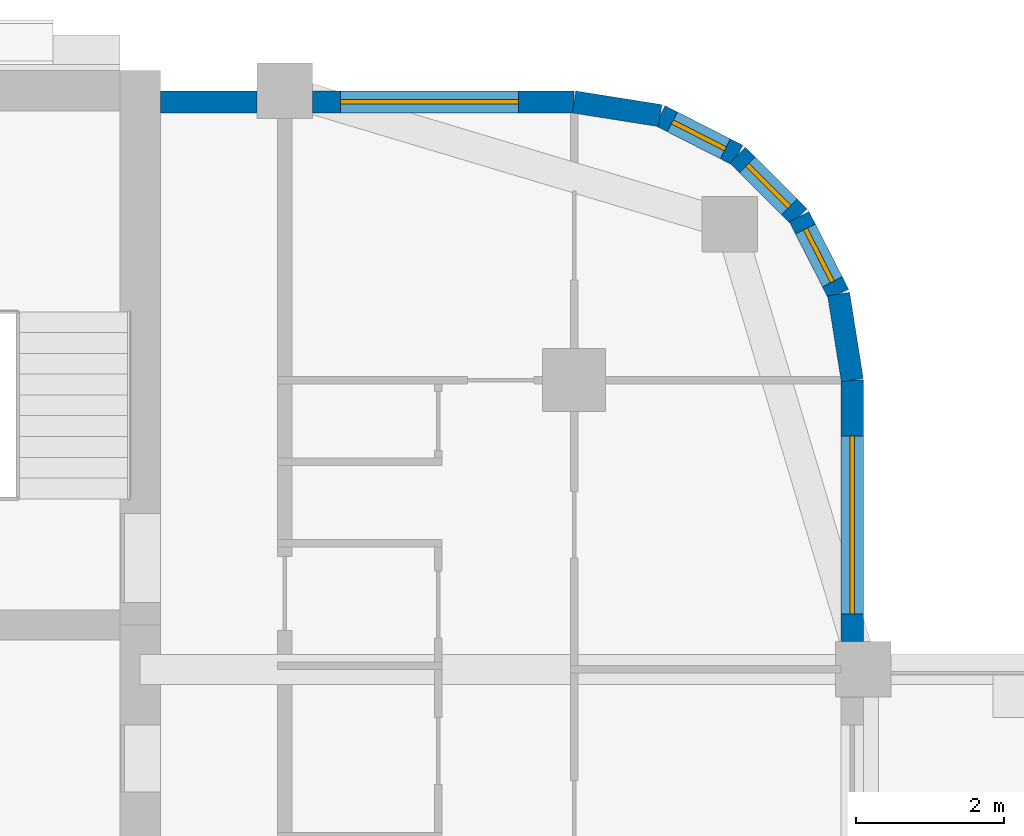
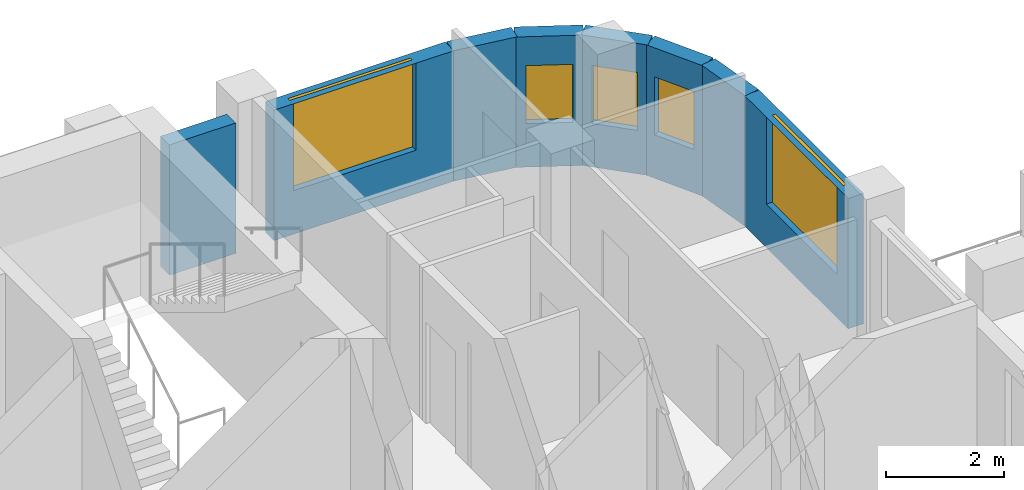
# One storey, part 9 of 14: 8 walls, 5 windows, 5 openings.
"""IFC4 building model written with IfcOpenShell, lengths in metres."""

from ifc_helpers import new_model, si_unit, direction, frame, frame_2d, origin, place, context, subcontext, project, spatial, rectangle, extrude, material, layer, layer_set, type_object, element, fill, save


model = new_model("IFC4")

# Units and contexts
model_context = context("Model", 3, precision=1e-05, world=origin(), true_north=direction((0.0, 1.0)))
body_context = subcontext(model_context, "Body", "Model", "MODEL_VIEW")
ifc_project = project(units=[si_unit("LENGTHUNIT", "METRE"), si_unit("AREAUNIT", "SQUARE_METRE"), si_unit("VOLUMEUNIT", "CUBIC_METRE"), si_unit("PLANEANGLEUNIT", "RADIAN"), si_unit("MASSUNIT", "GRAM", prefix="KILO")], contexts=[model_context])

# Site, building, storey
site_placement = place(None, origin())
site = spatial("IfcSite", under=ifc_project, at=site_placement, CompositionType="ELEMENT")
building_placement = place(site_placement, origin())
building = spatial("IfcBuilding", under=site, at=building_placement, Name="Ludao Terraces", CompositionType="ELEMENT")
storey_placement = place(building_placement, frame((0.0, 0.0, 182.60009765625)))
storey = spatial("IfcBuildingStorey", under=building, at=storey_placement, Name="L49", CompositionType="ELEMENT", Elevation=182.60009765625)

# Wall, opening, window
ifc_material_1 = material(Name="Granite cladding", Category="masonry")
ifc_layer_1 = layer(ifc_material_1, 0.0400390625, Category="stone")
ifc_material_2 = material(Name="Mineral wool")
ifc_layer_2 = layer(ifc_material_2, 0.06005859375)
ifc_material_3 = material(Name="Concrete C40", Category="concrete")
ifc_layer_3 = layer(ifc_material_3, 0.199951171875, Category="concrete")
ifc_layer_set_1 = layer_set([ifc_layer_1, ifc_layer_2, ifc_layer_3], Name="ENV Stone-clad wall 300")
wall_type = type_object("IfcWallType", Name="ENV Stone-clad wall 300", PredefinedType="SOLIDWALL", material=ifc_layer_set_1)
wall_1_placement = place(storey_placement, frame((104.35009765625, 77.074951171875, 0.0), z_axis=(0.0, 0.0, 1.0), x_axis=(0.0, 1.0, 0.0)))
wall_1 = element("IfcWall", 1, at=wall_1_placement, inside=storey, type_object=wall_type, Name="EW-L49-E5", PredefinedType="SOLIDWALL", context=body_context, shape_type="SweptSolid", body=[
    extrude(rectangle(XDim=3.525146484375, YDim=0.300048828125, at=frame_2d((1.7626953125, 0.0))), origin(), (0.0, 0.0, 1.0), 2.699951171875),
])
opening_1_placement = place(wall_1_placement, frame((0.375, 0.0, 0.89990234375)))
opening_1 = element("IfcOpeningElement", 2, at=opening_1_placement, cuts=wall_1, Name="Opening W1", PredefinedType="OPENING", context=body_context, shape_type="SweptSolid", body=[
    extrude(rectangle(XDim=2.39990234375, YDim=1.800048828125, at=frame_2d((1.199951171875, 0.89990234375))), frame((0.0, 0.16015625, 0.0), z_axis=(0.0, -1.0, 0.0), x_axis=(1.0, 0.0, 0.0)), (0.0, 0.0, 1.0), 0.320068359375),
])
ifc_material_4 = material(Name="Clear glass in aluminium frame", Category="aluminium")
ifc_layer_4 = layer(ifc_material_4, 0.06005859375)
ifc_layer_set_2 = layer_set([ifc_layer_4], Name="ENV Window W1 2400x1800")
window_type_1 = type_object("IfcWindowType", Name="ENV Window W1 2400x1800", PartitioningType="DOUBLE_PANEL_VERTICAL", PredefinedType="WINDOW", material=ifc_layer_set_2)
window_1_placement = place(opening_1_placement, origin())
window_1 = element("IfcWindow", 3, at=window_1_placement, inside=storey, type_object=window_type_1, Name="W-L49-E5-1", OverallHeight=1.800048828125, OverallWidth=2.39990234375, PartitioningType="DOUBLE_PANEL_VERTICAL", PredefinedType="WINDOW", context=body_context, shape_type="SweptSolid", body=[
    extrude(rectangle(XDim=2.39990234375, YDim=1.800048828125, at=frame_2d((1.199951171875, 0.89990234375))), frame((0.0, 0.030029296875, 0.0), z_axis=(0.0, -1.0, 0.0), x_axis=(1.0, 0.0, 0.0)), (0.0, 0.0, 1.0), 0.06005859375),
])
fill(opening_1, window_1)

# Wall
wall_2_placement = place(storey_placement, frame((95.02490234375, 84.35009765625, 0.0), z_axis=(0.0, 0.0, 1.0), x_axis=(1.0, 0.0, 0.0)))
element("IfcWall", 4, at=wall_2_placement, inside=storey, type_object=wall_type, Name="EW-L49-N3", PredefinedType="SOLIDWALL", context=body_context, shape_type="SweptSolid", body=[
    extrude(rectangle(XDim=1.300048828125, YDim=0.300048828125, at=frame_2d((0.64990234375, 0.0))), origin(), (0.0, 0.0, 1.0), 2.699951171875),
])

# Wall, opening, window
wall_3_placement = place(storey_placement, frame((97.074951171875, 84.35009765625, 0.0), z_axis=(0.0, 0.0, 1.0), x_axis=(1.0, 0.0, 0.0)))
wall_3 = element("IfcWall", 5, at=wall_3_placement, inside=storey, type_object=wall_type, Name="EW-L49-N4", PredefinedType="SOLIDWALL", context=body_context, shape_type="SweptSolid", body=[
    extrude(rectangle(XDim=3.525146484375, YDim=0.300048828125, at=frame_2d((1.7626953125, 0.0))), origin(), (0.0, 0.0, 1.0), 2.699951171875),
])
opening_2_placement = place(wall_3_placement, frame((0.375, 0.0, 0.89990234375)))
opening_2 = element("IfcOpeningElement", 6, at=opening_2_placement, cuts=wall_3, Name="Opening W1", PredefinedType="OPENING", context=body_context, shape_type="SweptSolid", body=[
    extrude(rectangle(XDim=2.39990234375, YDim=1.800048828125, at=frame_2d((1.199951171875, 0.89990234375))), frame((0.0, 0.16015625, 0.0), z_axis=(0.0, -1.0, 0.0), x_axis=(1.0, 0.0, 0.0)), (0.0, 0.0, 1.0), 0.320068359375),
])
window_2_placement = place(opening_2_placement, origin())
window_2 = element("IfcWindow", 7, at=window_2_placement, inside=storey, type_object=window_type_1, Name="W-L49-N4-1", OverallHeight=1.800048828125, OverallWidth=2.39990234375, PartitioningType="DOUBLE_PANEL_VERTICAL", PredefinedType="WINDOW", context=body_context, shape_type="SweptSolid", body=[
    extrude(rectangle(XDim=2.39990234375, YDim=1.800048828125, at=frame_2d((1.199951171875, 0.89990234375))), frame((0.0, 0.030029296875, 0.0), z_axis=(0.0, -1.0, 0.0), x_axis=(1.0, 0.0, 0.0)), (0.0, 0.0, 1.0), 0.06005859375),
])
fill(opening_2, window_2)

# Wall
wall_4_placement = place(storey_placement, frame((104.35009765625, 80.60009765625, 0.0), z_axis=(0.0, 0.0, 1.0), x_axis=(-0.156496880861, 0.987678452879, 0.0)))
element("IfcWall", 8, at=wall_4_placement, inside=storey, type_object=wall_type, Name="EW-L49-NE1", PredefinedType="SOLIDWALL", context=body_context, shape_type="SweptSolid", body=[
    extrude(rectangle(XDim=1.173095703125, YDim=0.300048828125, at=frame_2d((0.58642578125, 0.0))), origin(), (0.0, 0.0, 1.0), 2.699951171875),
])

# Wall, opening, window
wall_5_placement = place(storey_placement, frame((104.16650390625, 81.7587890625, 0.0), z_axis=(0.0, 0.0, 1.0), x_axis=(-0.454025524128, 0.890988677504, 0.0)))
wall_5 = element("IfcWall", 9, at=wall_5_placement, inside=storey, type_object=wall_type, Name="EW-L49-NE2", PredefinedType="SOLIDWALL", context=body_context, shape_type="SweptSolid", body=[
    extrude(rectangle(XDim=1.17333984375, YDim=0.300048828125, at=frame_2d((0.586669921875, 0.0))), origin(), (0.0, 0.0, 1.0), 2.699951171875),
])
opening_3_placement = place(wall_5_placement, frame((0.1865234375, 0.0, 0.89990234375)))
opening_3 = element("IfcOpeningElement", 10, at=opening_3_placement, cuts=wall_5, Name="Opening W3", PredefinedType="OPENING", context=body_context, shape_type="SweptSolid", body=[
    extrude(rectangle(XDim=0.800048828125, YDim=1.199951171875, at=frame_2d((0.39990234375, 0.60009765625))), frame((0.0, 0.16015625, 0.0), z_axis=(0.0, -1.0, 0.0), x_axis=(1.0, 0.0, 0.0)), (0.0, 0.0, 1.0), 0.320068359375),
])
ifc_layer_5 = layer(ifc_material_4, 0.06005859375)
ifc_layer_set_3 = layer_set([ifc_layer_5], Name="ENV Window W3 800x1200")
window_type_2 = type_object("IfcWindowType", Name="ENV Window W3 800x1200", PartitioningType="SINGLE_PANEL", PredefinedType="WINDOW", material=ifc_layer_set_3)
window_3_placement = place(opening_3_placement, origin())
window_3 = element("IfcWindow", 11, at=window_3_placement, inside=storey, type_object=window_type_2, Name="W-L49-NE2", OverallHeight=1.199951171875, OverallWidth=0.800048828125, PartitioningType="SINGLE_PANEL", PredefinedType="WINDOW", context=body_context, shape_type="SweptSolid", body=[
    extrude(rectangle(XDim=0.800048828125, YDim=1.199951171875, at=frame_2d((0.39990234375, 0.60009765625))), frame((0.0, 0.030029296875, 0.0), z_axis=(0.0, -1.0, 0.0), x_axis=(1.0, 0.0, 0.0)), (0.0, 0.0, 1.0), 0.06005859375),
])
fill(opening_3, window_3)

wall_6_placement = place(storey_placement, frame((103.6337890625, 82.80419921875, 0.0), z_axis=(0.0, 0.0, 1.0), x_axis=(-0.707106781187, 0.707106781187, 0.0)))
wall_6 = element("IfcWall", 12, at=wall_6_placement, inside=storey, type_object=wall_type, Name="EW-L49-NE3", PredefinedType="SOLIDWALL", context=body_context, shape_type="SweptSolid", body=[
    extrude(rectangle(XDim=1.173095703125, YDim=0.300048828125, at=frame_2d((0.58642578125, 0.0))), origin(), (0.0, 0.0, 1.0), 2.699951171875),
])
opening_4_placement = place(wall_6_placement, frame((0.1865234375, 0.0, 0.89990234375)))
opening_4 = element("IfcOpeningElement", 13, at=opening_4_placement, cuts=wall_6, Name="Opening W3", PredefinedType="OPENING", context=body_context, shape_type="SweptSolid", body=[
    extrude(rectangle(XDim=0.800048828125, YDim=1.199951171875, at=frame_2d((0.39990234375, 0.60009765625))), frame((0.0, 0.16015625, 0.0), z_axis=(0.0, -1.0, 0.0), x_axis=(1.0, 0.0, 0.0)), (0.0, 0.0, 1.0), 0.320068359375),
])
window_4_placement = place(opening_4_placement, origin())
window_4 = element("IfcWindow", 14, at=window_4_placement, inside=storey, type_object=window_type_2, Name="W-L49-NE3", OverallHeight=1.199951171875, OverallWidth=0.800048828125, PartitioningType="SINGLE_PANEL", PredefinedType="WINDOW", context=body_context, shape_type="SweptSolid", body=[
    extrude(rectangle(XDim=0.800048828125, YDim=1.199951171875, at=frame_2d((0.39990234375, 0.60009765625))), frame((0.0, 0.030029296875, 0.0), z_axis=(0.0, -1.0, 0.0), x_axis=(1.0, 0.0, 0.0)), (0.0, 0.0, 1.0), 0.06005859375),
])
fill(opening_4, window_4)

wall_7_placement = place(storey_placement, frame((102.80419921875, 83.6337890625, 0.0), z_axis=(0.0, 0.0, 1.0), x_axis=(-0.890988677504, 0.454025524128, 0.0)))
wall_7 = element("IfcWall", 15, at=wall_7_placement, inside=storey, type_object=wall_type, Name="EW-L49-NE4", PredefinedType="SOLIDWALL", context=body_context, shape_type="SweptSolid", body=[
    extrude(rectangle(XDim=1.17333984375, YDim=0.300048828125, at=frame_2d((0.586669921875, 0.0))), origin(), (0.0, 0.0, 1.0), 2.699951171875),
])
opening_5_placement = place(wall_7_placement, frame((0.1865234375, 0.0, 0.89990234375)))
opening_5 = element("IfcOpeningElement", 16, at=opening_5_placement, cuts=wall_7, Name="Opening W3", PredefinedType="OPENING", context=body_context, shape_type="SweptSolid", body=[
    extrude(rectangle(XDim=0.800048828125, YDim=1.199951171875, at=frame_2d((0.39990234375, 0.60009765625))), frame((0.0, 0.16015625, 0.0), z_axis=(0.0, -1.0, 0.0), x_axis=(1.0, 0.0, 0.0)), (0.0, 0.0, 1.0), 0.320068359375),
])
window_5_placement = place(opening_5_placement, origin())
window_5 = element("IfcWindow", 17, at=window_5_placement, inside=storey, type_object=window_type_2, Name="W-L49-NE4", OverallHeight=1.199951171875, OverallWidth=0.800048828125, PartitioningType="SINGLE_PANEL", PredefinedType="WINDOW", context=body_context, shape_type="SweptSolid", body=[
    extrude(rectangle(XDim=0.800048828125, YDim=1.199951171875, at=frame_2d((0.39990234375, 0.60009765625))), frame((0.0, 0.030029296875, 0.0), z_axis=(0.0, -1.0, 0.0), x_axis=(1.0, 0.0, 0.0)), (0.0, 0.0, 1.0), 0.06005859375),
])
fill(opening_5, window_5)

# Wall
wall_8_placement = place(storey_placement, frame((101.7587890625, 84.16650390625, 0.0), z_axis=(0.0, 0.0, 1.0), x_axis=(-0.987678452879, 0.156496880861, 0.0)))
element("IfcWall", 18, at=wall_8_placement, inside=storey, type_object=wall_type, Name="EW-L49-NE5", PredefinedType="SOLIDWALL", context=body_context, shape_type="SweptSolid", body=[
    extrude(rectangle(XDim=1.173095703125, YDim=0.300048828125, at=frame_2d((0.58642578125, 0.0))), origin(), (0.0, 0.0, 1.0), 2.699951171875),
])

save(model, "model.ifc")
